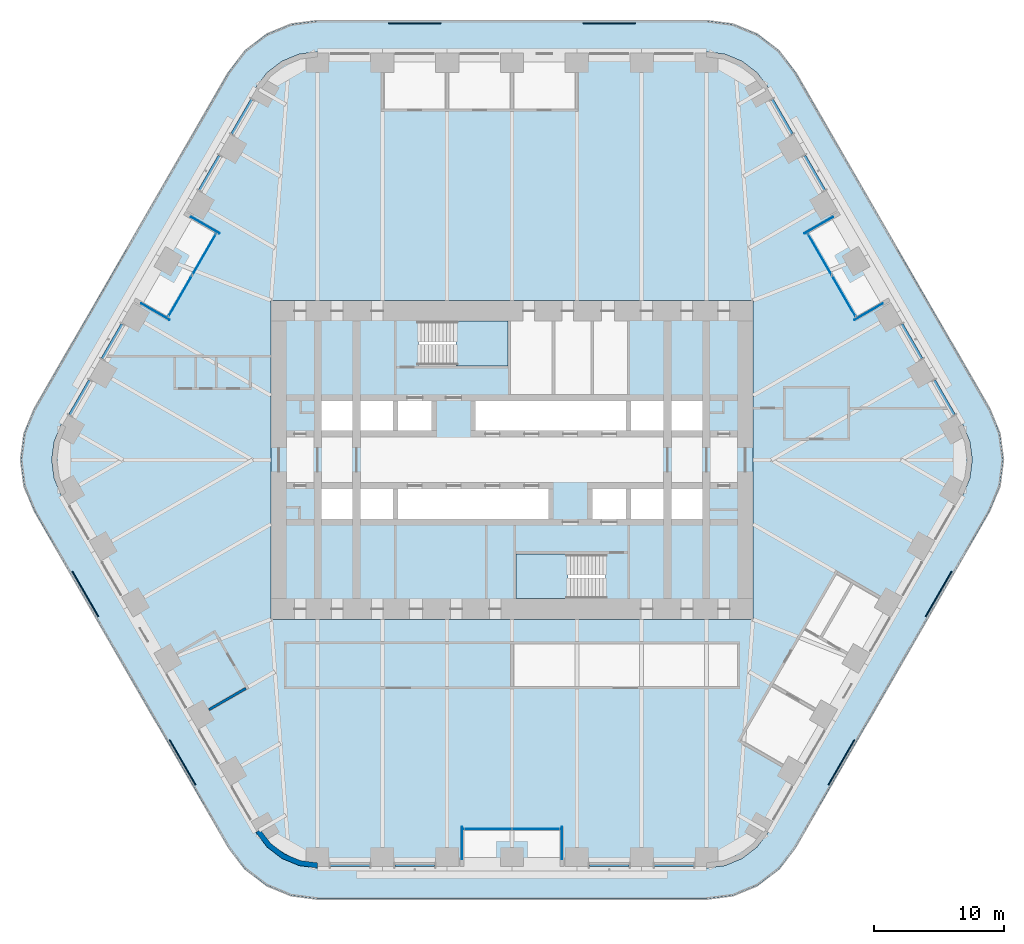
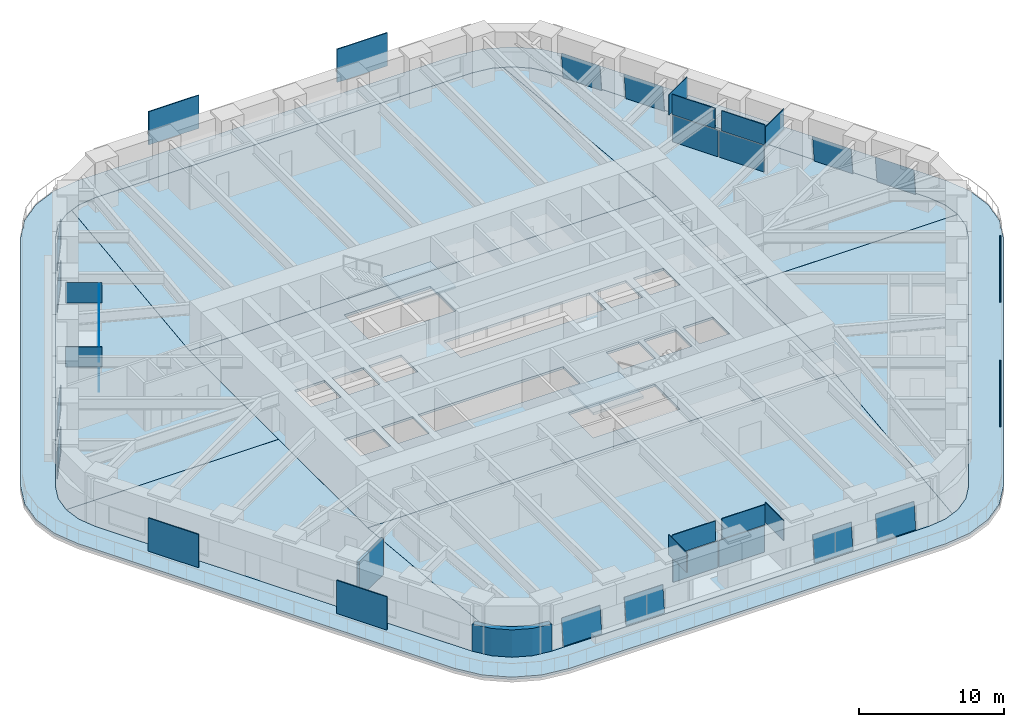
# One storey, part 16 of 24: 36 plates, 10 slabs, 2 walls, 17 elements without a shape of their own.
"""IFC4 building model written with IfcOpenShell, lengths in metres."""

from ifc_helpers import new_model, si_unit, direction, frame, frame_2d, origin, origin_2d, place, context, subcontext, project, spatial, polyline, rectangle, outline, extrude, material, layer, layer_set, type_object, element, aggregate, save


model = new_model("IFC4")

# Units and contexts
model_context = context("Model", 3, precision=1e-05, world=origin(), true_north=direction((0.0, 1.0)))
body_context = subcontext(model_context, "Body", "Model", "MODEL_VIEW")
ifc_project = project(units=[si_unit("LENGTHUNIT", "METRE"), si_unit("AREAUNIT", "SQUARE_METRE"), si_unit("VOLUMEUNIT", "CUBIC_METRE"), si_unit("PLANEANGLEUNIT", "RADIAN"), si_unit("MASSUNIT", "GRAM", prefix="KILO")], contexts=[model_context])

# Site, building, storey
site_placement = place(None, origin())
site = spatial("IfcSite", under=ifc_project, at=site_placement, CompositionType="ELEMENT")
building_placement = place(site_placement, origin())
building = spatial("IfcBuilding", under=site, at=building_placement, Name="Tarfa Lantern Tower", CompositionType="ELEMENT")
storey_placement = place(building_placement, frame((0.0, 0.0, 127.89990234375)))
storey = spatial("IfcBuildingStorey", under=building, at=storey_placement, Name="L28", CompositionType="ELEMENT", Elevation=127.89990234375)

# Slab
ifc_material_1 = material(Name="Concrete C40/50", Category="concrete")
ifc_layer_1 = layer(ifc_material_1, 0.199951171875)
ifc_layer_set_1 = layer_set([ifc_layer_1], Name="BS2 BALCONY SLAB 200")
slab_type_1 = type_object("IfcSlabType", Name="BS2 BALCONY SLAB 200", PredefinedType="FLOOR", material=ifc_layer_set_1)
slab_1_placement = place(storey_placement, frame((0.0, 0.0, -0.199951171875)))
element("IfcSlab", 1, at=slab_1_placement, inside=storey, type_object=slab_type_1, Name="Balcony L28", PredefinedType="FLOOR", context=body_context, shape_type="SweptSolid", body=[
    extrude(outline(polyline([(36.86376953125, 3.949951171875), (21.852783203125, 29.949951171875), (20.59716796875, 31.586181640625), (18.961181640625, 32.841552734375), (17.0556640625, 33.630859375), (15.010986328125, 33.89990234375), (-15.010986328125, 33.89990234375), (-17.0556640625, 33.630859375), (-18.961181640625, 32.841552734375), (-20.59716796875, 31.586181640625), (-21.852783203125, 29.949951171875), (-36.86376953125, 3.949951171875), (-37.653076171875, 2.044677734375), (-37.922119140625, 0.0), (-37.653076171875, -2.044677734375), (-36.86376953125, -3.949951171875), (-21.852783203125, -29.949951171875), (-20.59716796875, -31.586181640625), (-18.961181640625, -32.841552734375), (-17.0556640625, -33.630859375), (-15.010986328125, -33.89990234375), (15.010986328125, -33.89990234375), (17.0556640625, -33.630859375), (18.961181640625, -32.841552734375), (20.59716796875, -31.586181640625), (21.852783203125, -29.949951171875), (36.86376953125, -3.949951171875), (37.653076171875, -2.044677734375), (37.922119140625, 0.0), (37.653076171875, 2.044677734375), (36.86376953125, 3.949951171875)]), holes=[polyline([(34.785400390625, 2.75), (19.774169921875, 28.75), (18.900146484375, 29.88916015625), (17.760986328125, 30.76318359375), (16.4345703125, 31.3125), (15.010986328125, 31.5), (-15.010986328125, 31.5), (-16.4345703125, 31.3125), (-17.760986328125, 30.76318359375), (-18.900146484375, 29.88916015625), (-19.774169921875, 28.75), (-34.785400390625, 2.75), (-35.334716796875, 1.423583984375), (-35.522216796875, 0.0), (-35.334716796875, -1.423583984375), (-34.785400390625, -2.75), (-19.774169921875, -28.75), (-18.900146484375, -29.88916015625), (-17.760986328125, -30.76318359375), (-16.4345703125, -31.3125), (-15.010986328125, -31.5), (15.010986328125, -31.5), (16.4345703125, -31.3125), (17.760986328125, -30.76318359375), (18.900146484375, -29.88916015625), (19.774169921875, -28.75), (34.785400390625, -2.75), (35.334716796875, -1.423583984375), (35.522216796875, 0.0), (35.334716796875, 1.423583984375), (34.785400390625, 2.75)])]), origin(), (0.0, 0.0, 1.0), 0.199951171875),
])

# Curtain wall, plate
ifc_material_2 = material(Name="Aluminium framed curtain wall", Category="aluminium")
curtain_wall_type_1 = type_object("IfcCurtainWallType", Name="CW2 CANTED GLAZING MID ZONE 2300", PredefinedType="USERDEFINED", material=ifc_material_2)
curtain_wall_1_placement = place(storey_placement, origin())
curtain_wall_1 = element("IfcCurtainWall", 2, at=curtain_wall_1_placement, inside=storey, type_object=curtain_wall_type_1, Name="CW2 NE L28", ObjectType="CURTAIN WALL", PredefinedType="USERDEFINED")
ifc_material_3 = material(Name="Laminated double glazing", Category="glass")
ifc_layer_2 = layer(ifc_material_3, 0.028076171875)
ifc_layer_set_2 = layer_set([ifc_layer_2], Name="CWP1 DOUBLE GLAZED PANEL")
plate_type_1 = type_object("IfcPlateType", Name="CWP1 DOUBLE GLAZED PANEL", PredefinedType="CURTAIN_PANEL", material=ifc_layer_set_2)
plate_1_placement = place(storey_placement, frame((34.21630859375, 3.53564453125, 0.0), z_axis=(0.860950188313, 0.497081668846, 0.108049006198), x_axis=(-0.500008936691, 0.866020244122, 0.0)))
plate_1 = element("IfcPlate", 3, at=plate_1_placement, type_object=plate_type_1, Name="CW2 panel 1.1", PredefinedType="CURTAIN_PANEL", context=body_context, shape_type="SweptSolid", body=[
    extrude(outline(polyline([(0.0, 0.0), (3.0736755317705216, -2.7755575615628914e-17), (3.073820952204966, 2.2482697621832255), (0.00014542043444425168, 2.2482697621832255), (0.0, 0.0)])), origin(), (0.0, 0.0, -1.0), 0.028076171875),
])
aggregate(curtain_wall_1, [plate_1])

curtain_wall_2_placement = place(storey_placement, origin())
curtain_wall_2 = element("IfcCurtainWall", 4, at=curtain_wall_2_placement, inside=storey, type_object=curtain_wall_type_1, Name="CW2 NE L28", ObjectType="CURTAIN WALL", PredefinedType="USERDEFINED")
plate_2_placement = place(storey_placement, frame((31.71435546875, 7.869140625, 0.0), z_axis=(0.860945136195, 0.497078751935, 0.108102668035), x_axis=(-0.500008936691, 0.866020244122, 0.0)))
plate_2 = element("IfcPlate", 5, at=plate_2_placement, type_object=plate_type_1, Name="CW2 panel 1.1", PredefinedType="CURTAIN_PANEL", context=body_context, shape_type="SweptSolid", body=[
    extrude(outline(polyline([(0.0, 0.0), (3.0736755317705216, -2.7755575615628914e-17), (3.0736095214813033, 2.2482829552702466), (-6.601028921829344e-05, 2.2482829552702466), (0.0, 0.0)])), origin(), (0.0, 0.0, -1.0), 0.028076171875),
])
aggregate(curtain_wall_2, [plate_2])

curtain_wall_3_placement = place(storey_placement, origin())
curtain_wall_3 = element("IfcCurtainWall", 6, at=curtain_wall_3_placement, inside=storey, type_object=curtain_wall_type_1, Name="CW2 NEB L28", ObjectType="CURTAIN WALL", PredefinedType="USERDEFINED")
plate_3_placement = place(storey_placement, frame((24.208740234375, 20.869140625, 0.0), z_axis=(0.860953884959, 0.497083803157, 0.108009724623), x_axis=(-0.500008936691, 0.866020244122, 0.0)))
plate_3 = element("IfcPlate", 7, at=plate_3_placement, type_object=plate_type_1, Name="CW2 panel 1.1", PredefinedType="CURTAIN_PANEL", context=body_context, shape_type="SweptSolid", body=[
    extrude(outline(polyline([(0.0, 0.0), (3.0736755317705216, -2.7755575615628914e-17), (3.073487448986994, 2.248260108870411), (-0.000188082783527721, 2.248260108870411), (0.0, 0.0)])), origin(), (0.0, 0.0, -1.0), 0.028076171875),
])
aggregate(curtain_wall_3, [plate_3])

curtain_wall_4_placement = place(storey_placement, origin())
curtain_wall_4 = element("IfcCurtainWall", 8, at=curtain_wall_4_placement, inside=storey, type_object=curtain_wall_type_1, Name="CW2 NEB L28", ObjectType="CURTAIN WALL", PredefinedType="USERDEFINED")
plate_4_placement = place(storey_placement, frame((21.70703125, 25.202392578125, 0.0), z_axis=(0.86095753291, 0.497063114566, 0.10807583756), x_axis=(-0.499991940844, 0.866030056687, 2.133498e-06)))
plate_4 = element("IfcPlate", 9, at=plate_4_placement, type_object=plate_type_1, Name="CW2 panel 1.1", PredefinedType="CURTAIN_PANEL", context=body_context, shape_type="SweptSolid", body=[
    extrude(outline(polyline([(0.0, 0.0), (3.07367553117162, -2.7755575615628914e-17), (3.0738209528038953, 2.2482697613643725), (-6.60114870335402e-05, 2.2482829544514407), (0.0, 0.0)])), origin(), (0.0, 0.0, -1.0), 0.028076171875),
])
aggregate(curtain_wall_4, [plate_4])

# Curtain wall, plates
curtain_wall_type_2 = type_object("IfcCurtainWallType", Name="CW10 LOGGIA GLAZING 2300", PredefinedType="USERDEFINED", material=ifc_material_2)
curtain_wall_5_placement = place(storey_placement, origin())
curtain_wall_5 = element("IfcCurtainWall", 10, at=curtain_wall_5_placement, inside=storey, type_object=curtain_wall_type_2, Name="CW10 NEL L28", ObjectType="CURTAIN WALL", PredefinedType="USERDEFINED")
plate_5_placement = place(storey_placement, frame((25.599609375, 12.660400390625, 0.0), z_axis=(0.0, 0.0, 1.0), x_axis=(-0.5, 0.866025403784, 0.0)))
plate_5 = element("IfcPlate", 11, at=plate_5_placement, type_object=plate_type_1, Name="CW10 panel 1.1", PredefinedType="CURTAIN_PANEL", context=body_context, shape_type="SweptSolid", body=[
    extrude(rectangle(XDim=3.606201171875, YDim=0.028076171875, at=origin_2d()), origin(), (0.0, 0.0, 1.0), 2.235107421875),
])
plate_6_placement = place(storey_placement, frame((23.763916015625, 15.839599609375, 0.0), z_axis=(0.0, 0.0, 1.0), x_axis=(-0.5, 0.866025403784, 0.0)))
plate_6 = element("IfcPlate", 12, at=plate_6_placement, type_object=plate_type_1, Name="CW10 panel 2.1", PredefinedType="CURTAIN_PANEL", context=body_context, shape_type="SweptSolid", body=[
    extrude(rectangle(XDim=3.606201171875, YDim=0.028076171875, at=origin_2d()), origin(), (0.0, 0.0, 1.0), 2.235107421875),
])
aggregate(curtain_wall_5, [plate_5, plate_6])

# Curtain wall, plate
curtain_wall_6_placement = place(storey_placement, origin())
curtain_wall_6 = element("IfcCurtainWall", 13, at=curtain_wall_6_placement, inside=storey, type_object=curtain_wall_type_1, Name="CW2 NW L28", ObjectType="CURTAIN WALL", PredefinedType="USERDEFINED")
plate_7_placement = place(storey_placement, frame((-20.170166015625, 27.8642578125, 0.0), z_axis=(-0.86095753291, 0.497063114566, 0.10807583756), x_axis=(-0.499991940844, -0.866030056687, -2.133498e-06)))
plate_7 = element("IfcPlate", 14, at=plate_7_placement, type_object=plate_type_1, Name="CW2 panel 1.1", PredefinedType="CURTAIN_PANEL", context=body_context, shape_type="SweptSolid", body=[
    extrude(outline(polyline([(0.0, 0.0), (3.07367553117162, 2.7755575615628914e-17), (3.0737415426586536, 2.2482829544514407), (-0.00014542163227493655, 2.2482697613643725), (0.0, 0.0)])), origin(), (0.0, 0.0, -1.0), 0.028076171875),
])
aggregate(curtain_wall_6, [plate_7])

curtain_wall_7_placement = place(storey_placement, origin())
curtain_wall_7 = element("IfcCurtainWall", 15, at=curtain_wall_7_placement, inside=storey, type_object=curtain_wall_type_1, Name="CW2 NW L28", ObjectType="CURTAIN WALL", PredefinedType="USERDEFINED")
plate_8_placement = place(storey_placement, frame((-22.671875, 23.531005859375, 0.0), z_axis=(-0.860953884959, 0.497083803157, 0.108009724623), x_axis=(-0.500008936691, -0.866020244122, 0.0)))
plate_8 = element("IfcPlate", 16, at=plate_8_placement, type_object=plate_type_1, Name="CW2 panel 1.1", PredefinedType="CURTAIN_PANEL", context=body_context, shape_type="SweptSolid", body=[
    extrude(outline(polyline([(0.0, 0.0), (3.0736755317705216, 2.7755575615628914e-17), (3.073863614554049, 2.248260108870411), (0.000188082783527721, 2.248260108870411), (0.0, 0.0)])), origin(), (0.0, 0.0, -1.0), 0.028076171875),
])
aggregate(curtain_wall_7, [plate_8])

curtain_wall_8_placement = place(storey_placement, origin())
curtain_wall_8 = element("IfcCurtainWall", 17, at=curtain_wall_8_placement, inside=storey, type_object=curtain_wall_type_1, Name="CW2 NWB L28", ObjectType="CURTAIN WALL", PredefinedType="USERDEFINED")
plate_9_placement = place(storey_placement, frame((-30.177490234375, 10.531005859375, 0.0), z_axis=(-0.860945136195, 0.497078751935, 0.108102668035), x_axis=(-0.500008936691, -0.866020244122, 0.0)))
plate_9 = element("IfcPlate", 18, at=plate_9_placement, type_object=plate_type_1, Name="CW2 panel 1.1", PredefinedType="CURTAIN_PANEL", context=body_context, shape_type="SweptSolid", body=[
    extrude(outline(polyline([(0.0, 0.0), (3.0736755317705216, 2.7755575615628914e-17), (3.07374154205974, 2.2482829552702466), (6.601028921829344e-05, 2.2482829552702466), (0.0, 0.0)])), origin(), (0.0, 0.0, -1.0), 0.028076171875),
])
aggregate(curtain_wall_8, [plate_9])

curtain_wall_9_placement = place(storey_placement, origin())
curtain_wall_9 = element("IfcCurtainWall", 19, at=curtain_wall_9_placement, inside=storey, type_object=curtain_wall_type_1, Name="CW2 NWB L28", ObjectType="CURTAIN WALL", PredefinedType="USERDEFINED")
plate_10_placement = place(storey_placement, frame((-32.679443359375, 6.197509765625, 0.0), z_axis=(-0.860950188313, 0.497081668846, 0.108049006198), x_axis=(-0.500008936691, -0.866020244122, 0.0)))
plate_10 = element("IfcPlate", 20, at=plate_10_placement, type_object=plate_type_1, Name="CW2 panel 1.1", PredefinedType="CURTAIN_PANEL", context=body_context, shape_type="SweptSolid", body=[
    extrude(outline(polyline([(0.0, 0.0), (3.0736755317705216, 2.7755575615628914e-17), (3.0735301113360776, 2.2482697621832255), (-0.00014542043444425168, 2.2482697621832255), (0.0, 0.0)])), origin(), (0.0, 0.0, -1.0), 0.028076171875),
])
aggregate(curtain_wall_9, [plate_10])

# Curtain wall, plates
curtain_wall_10_placement = place(storey_placement, origin())
curtain_wall_10 = element("IfcCurtainWall", 21, at=curtain_wall_10_placement, inside=storey, type_object=curtain_wall_type_2, Name="CW10 NWL L28", ObjectType="CURTAIN WALL", PredefinedType="USERDEFINED")
plate_11_placement = place(storey_placement, frame((-23.763916015625, 15.839599609375, 0.0), z_axis=(0.0, 0.0, 1.0), x_axis=(-0.5, -0.866025403784, 0.0)))
plate_11 = element("IfcPlate", 22, at=plate_11_placement, type_object=plate_type_1, Name="CW10 panel 1.1", PredefinedType="CURTAIN_PANEL", context=body_context, shape_type="SweptSolid", body=[
    extrude(rectangle(XDim=3.606201171875, YDim=0.028076171875, at=origin_2d()), origin(), (0.0, 0.0, 1.0), 2.235107421875),
])
plate_12_placement = place(storey_placement, frame((-25.599609375, 12.660400390625, 0.0), z_axis=(0.0, 0.0, 1.0), x_axis=(-0.5, -0.866025403784, 0.0)))
plate_12 = element("IfcPlate", 23, at=plate_12_placement, type_object=plate_type_1, Name="CW10 panel 2.1", PredefinedType="CURTAIN_PANEL", context=body_context, shape_type="SweptSolid", body=[
    extrude(rectangle(XDim=3.606201171875, YDim=0.028076171875, at=origin_2d()), origin(), (0.0, 0.0, 1.0), 2.235107421875),
])
aggregate(curtain_wall_10, [plate_11, plate_12])

# Curtain wall, plate
curtain_wall_11_placement = place(storey_placement, origin())
curtain_wall_11 = element("IfcCurtainWall", 24, at=curtain_wall_11_placement, inside=storey, type_object=curtain_wall_type_1, Name="CW2 S L28", ObjectType="CURTAIN WALL", PredefinedType="USERDEFINED")
plate_13_placement = place(storey_placement, frame((-14.046142578125, -31.39990234375, 0.0), z_axis=(0.0, -0.994145730989, 0.108047515274), x_axis=(1.0, 0.0, 0.0)))
plate_13 = element("IfcPlate", 25, at=plate_13_placement, type_object=plate_type_1, Name="CW2 panel 1.1", PredefinedType="CURTAIN_PANEL", context=body_context, shape_type="SweptSolid", body=[
    extrude(outline(polyline([(0.0, 0.0), (3.07373046875, 0.0), (3.07373046875, 2.2482693957274034), (0.0, 2.2482693957274034), (0.0, 0.0)])), origin(), (0.0, 0.0, -1.0), 0.028076171875),
])
aggregate(curtain_wall_11, [plate_13])

curtain_wall_12_placement = place(storey_placement, origin())
curtain_wall_12 = element("IfcCurtainWall", 26, at=curtain_wall_12_placement, inside=storey, type_object=curtain_wall_type_1, Name="CW2 S L28", ObjectType="CURTAIN WALL", PredefinedType="USERDEFINED")
plate_14_placement = place(storey_placement, frame((-9.04248046875, -31.39990234375, 0.0), z_axis=(0.0, -0.994145730989, 0.108047515274), x_axis=(1.0, 0.0, 0.0)))
plate_14 = element("IfcPlate", 27, at=plate_14_placement, type_object=plate_type_1, Name="CW2 panel 1.1", PredefinedType="CURTAIN_PANEL", context=body_context, shape_type="SweptSolid", body=[
    extrude(outline(polyline([(0.0, 0.0), (3.07373046875, 0.0), (3.07373046875, 2.2482693957274034), (0.0, 2.2482693957274034), (0.0, 0.0)])), origin(), (0.0, 0.0, -1.0), 0.028076171875),
])
aggregate(curtain_wall_12, [plate_14])

curtain_wall_13_placement = place(storey_placement, origin())
curtain_wall_13 = element("IfcCurtainWall", 28, at=curtain_wall_13_placement, inside=storey, type_object=curtain_wall_type_1, Name="CW2 SB L28", ObjectType="CURTAIN WALL", PredefinedType="USERDEFINED")
plate_15_placement = place(storey_placement, frame((5.96875, -31.39990234375, 0.0), z_axis=(0.0, -0.994145730989, 0.108047515274), x_axis=(1.0, 0.0, 0.0)))
plate_15 = element("IfcPlate", 29, at=plate_15_placement, type_object=plate_type_1, Name="CW2 panel 1.1", PredefinedType="CURTAIN_PANEL", context=body_context, shape_type="SweptSolid", body=[
    extrude(outline(polyline([(0.0, 0.0), (3.07373046875, 0.0), (3.07373046875, 2.2482693957274034), (0.0, 2.2482693957274034), (0.0, 0.0)])), origin(), (0.0, 0.0, -1.0), 0.028076171875),
])
aggregate(curtain_wall_13, [plate_15])

curtain_wall_14_placement = place(storey_placement, origin())
curtain_wall_14 = element("IfcCurtainWall", 30, at=curtain_wall_14_placement, inside=storey, type_object=curtain_wall_type_1, Name="CW2 SB L28", ObjectType="CURTAIN WALL", PredefinedType="USERDEFINED")
plate_16_placement = place(storey_placement, frame((10.972412109375, -31.39990234375, 0.0), z_axis=(0.0, -0.994145730989, 0.108047515274), x_axis=(1.0, 0.0, 0.0)))
plate_16 = element("IfcPlate", 31, at=plate_16_placement, type_object=plate_type_1, Name="CW2 panel 1.1", PredefinedType="CURTAIN_PANEL", context=body_context, shape_type="SweptSolid", body=[
    extrude(outline(polyline([(0.0, 0.0), (3.07373046875, 0.0), (3.07373046875, 2.2482693957274034), (0.0, 2.2482693957274034), (0.0, 0.0)])), origin(), (0.0, 0.0, -1.0), 0.028076171875),
])
aggregate(curtain_wall_14, [plate_16])

# Curtain wall, plates
curtain_wall_15_placement = place(storey_placement, origin())
curtain_wall_15 = element("IfcCurtainWall", 32, at=curtain_wall_15_placement, inside=storey, type_object=curtain_wall_type_2, Name="CW10 SL L28", ObjectType="CURTAIN WALL", PredefinedType="USERDEFINED")
plate_17_placement = place(storey_placement, frame((-1.835693359375, -28.5, 0.0), z_axis=(0.0, 0.0, 1.0), x_axis=(1.0, 0.0, 0.0)))
plate_17 = element("IfcPlate", 33, at=plate_17_placement, type_object=plate_type_1, Name="CW10 panel 1.1", PredefinedType="CURTAIN_PANEL", context=body_context, shape_type="SweptSolid", body=[
    extrude(rectangle(XDim=3.606201171875, YDim=0.028076171875, at=origin_2d()), origin(), (0.0, 0.0, 1.0), 2.235107421875),
])
plate_18_placement = place(storey_placement, frame((1.835693359375, -28.5, 0.0), z_axis=(0.0, 0.0, 1.0), x_axis=(1.0, 0.0, 0.0)))
plate_18 = element("IfcPlate", 34, at=plate_18_placement, type_object=plate_type_1, Name="CW10 panel 2.1", PredefinedType="CURTAIN_PANEL", context=body_context, shape_type="SweptSolid", body=[
    extrude(rectangle(XDim=3.606201171875, YDim=0.028076171875, at=origin_2d()), origin(), (0.0, 0.0, 1.0), 2.235107421875),
])
aggregate(curtain_wall_15, [plate_17, plate_18])

# Slabs
ifc_layer_3 = layer(ifc_material_1, 0.199951171875)
ifc_layer_set_3 = layer_set([ifc_layer_3], Name="FS1 FLOOR SLAB 200")
slab_type_2 = type_object("IfcSlabType", Name="FS1 FLOOR SLAB 200", PredefinedType="FLOOR", material=ifc_layer_set_3)
slab_2_placement = place(storey_placement, frame((0.0, 0.0, -0.199951171875)))
element("IfcSlab", 35, at=slab_2_placement, inside=storey, type_object=slab_type_2, Name="Floor slab L28", PredefinedType="FLOOR", context=body_context, shape_type="SweptSolid", body=[
    extrude(outline(polyline([(-18.60009765625, -12.300048828125), (18.60009765625, -12.300048828125), (18.60009765625, 12.300048828125), (-18.60009765625, 12.300048828125), (-18.60009765625, -12.300048828125)]), holes=[polyline([(-14.699951171875, 2.25), (-12.300048828125, 2.25), (-12.300048828125, 4.550048828125), (-14.699951171875, 4.550048828125), (-14.699951171875, 2.25)]), polyline([(-11.699951171875, 2.25), (-9.199951171875, 2.25), (-9.199951171875, 4.550048828125), (-11.699951171875, 4.550048828125), (-11.699951171875, 2.25)]), polyline([(-8.800048828125, 2.25), (-6.199951171875, 2.25), (-6.199951171875, 4.550048828125), (-8.800048828125, 4.550048828125), (-8.800048828125, 2.25)]), polyline([(-2.800048828125, 2.25), (8.800048828125, 2.25), (8.800048828125, 4.550048828125), (-2.800048828125, 4.550048828125), (-2.800048828125, 2.25)]), polyline([(9.199951171875, 2.25), (11.699951171875, 2.25), (11.699951171875, 4.550048828125), (9.199951171875, 4.550048828125), (9.199951171875, 2.25)]), polyline([(12.300048828125, 2.25), (14.699951171875, 2.25), (14.699951171875, 4.550048828125), (12.300048828125, 4.550048828125), (12.300048828125, 2.25)]), polyline([(14.699951171875, -2.25), (12.300048828125, -2.25), (12.300048828125, -4.550048828125), (14.699951171875, -4.550048828125), (14.699951171875, -2.25)]), polyline([(11.699951171875, -2.25), (9.199951171875, -2.25), (9.199951171875, -4.550048828125), (11.699951171875, -4.550048828125), (11.699951171875, -2.25)]), polyline([(8.800048828125, -2.25), (6.199951171875, -2.25), (6.199951171875, -4.550048828125), (8.800048828125, -4.550048828125), (8.800048828125, -2.25)]), polyline([(2.800048828125, -2.25), (-8.800048828125, -2.25), (-8.800048828125, -4.550048828125), (2.800048828125, -4.550048828125), (2.800048828125, -2.25)]), polyline([(-9.199951171875, -2.25), (-11.699951171875, -2.25), (-11.699951171875, -4.550048828125), (-9.199951171875, -4.550048828125), (-9.199951171875, -2.25)]), polyline([(-12.300048828125, -2.25), (-14.699951171875, -2.25), (-14.699951171875, -4.550048828125), (-12.300048828125, -4.550048828125), (-12.300048828125, -2.25)]), polyline([(-7.199951171875, 7.25), (-0.300048828125, 7.25), (-0.300048828125, 10.699951171875), (-7.199951171875, 10.699951171875), (-7.199951171875, 7.25)]), polyline([(7.199951171875, -7.25), (0.300048828125, -7.25), (0.300048828125, -10.699951171875), (7.199951171875, -10.699951171875), (7.199951171875, -7.25)])]), origin(), (0.0, 0.0, 1.0), 0.199951171875),
])
slab_3_placement = place(storey_placement, frame((0.0, 0.0, -0.199951171875)))
element("IfcSlab", 36, at=slab_3_placement, inside=storey, type_object=slab_type_2, Name="Floor slab L28 NE bay", PredefinedType="FLOOR", context=body_context, shape_type="SweptSolid", body=[
    extrude(outline(polyline([(34.783447265625, 2.7490234375), (19.7724609375, 28.748779296875), (18.898681640625, 29.8876953125), (17.760009765625, 30.761474609375), (17.19189453125, 30.996826171875), (18.60205078125, 12.300048828125), (18.60205078125, 0.001953125), (35.52001953125, 0.001953125), (35.332763671875, 1.423095703125), (34.783447265625, 2.7490234375)])), origin(), (0.0, 0.0, 1.0), 0.199951171875),
])
slab_4_placement = place(storey_placement, frame((0.0, 0.0, -0.199951171875)))
element("IfcSlab", 37, at=slab_4_placement, inside=storey, type_object=slab_type_2, Name="Floor slab L28 N bay", PredefinedType="FLOOR", context=body_context, shape_type="SweptSolid", body=[
    extrude(outline(polyline([(-18.597900390625, 12.302001953125), (18.597900390625, 12.302001953125), (17.187744140625, 30.99853515625), (16.43408203125, 31.310546875), (15.010986328125, 31.498046875), (-15.010986328125, 31.498046875), (-16.43408203125, 31.310546875), (-17.187744140625, 30.99853515625), (-18.597900390625, 12.302001953125)])), origin(), (0.0, 0.0, 1.0), 0.199951171875),
])
slab_5_placement = place(storey_placement, frame((0.0, 0.0, -0.199951171875)))
element("IfcSlab", 38, at=slab_5_placement, inside=storey, type_object=slab_type_2, Name="Floor slab L28 NW bay", PredefinedType="FLOOR", context=body_context, shape_type="SweptSolid", body=[
    extrude(outline(polyline([(-18.60205078125, 0.001953125), (-18.60205078125, 12.300048828125), (-17.19189453125, 30.996826171875), (-17.760009765625, 30.761474609375), (-18.898681640625, 29.8876953125), (-19.7724609375, 28.748779296875), (-34.783447265625, 2.7490234375), (-35.332763671875, 1.423095703125), (-35.52001953125, 0.001953125), (-18.60205078125, 0.001953125)])), origin(), (0.0, 0.0, 1.0), 0.199951171875),
])
slab_6_placement = place(storey_placement, frame((0.0, 0.0, -0.199951171875)))
element("IfcSlab", 39, at=slab_6_placement, inside=storey, type_object=slab_type_2, Name="Floor slab L28 SW bay", PredefinedType="FLOOR", context=body_context, shape_type="SweptSolid", body=[
    extrude(outline(polyline([(-18.60205078125, -12.300048828125), (-18.60205078125, -0.001953125), (-35.52001953125, -0.001953125), (-35.332763671875, -1.423095703125), (-34.783447265625, -2.7490234375), (-19.7724609375, -28.748779296875), (-18.898681640625, -29.8876953125), (-17.760009765625, -30.761474609375), (-17.19189453125, -30.996826171875), (-18.60205078125, -12.300048828125)])), origin(), (0.0, 0.0, 1.0), 0.199951171875),
])
slab_7_placement = place(storey_placement, frame((0.0, 0.0, -0.199951171875)))
element("IfcSlab", 40, at=slab_7_placement, inside=storey, type_object=slab_type_2, Name="Floor slab L28 S bay", PredefinedType="FLOOR", context=body_context, shape_type="SweptSolid", body=[
    extrude(outline(polyline([(18.597900390625, -12.302001953125), (-18.597900390625, -12.302001953125), (-17.187744140625, -30.99853515625), (-16.43408203125, -31.310546875), (-15.010986328125, -31.498046875), (15.010986328125, -31.498046875), (16.43408203125, -31.310546875), (17.187744140625, -30.99853515625), (18.597900390625, -12.302001953125)])), origin(), (0.0, 0.0, 1.0), 0.199951171875),
])
slab_8_placement = place(storey_placement, frame((0.0, 0.0, -0.199951171875)))
element("IfcSlab", 41, at=slab_8_placement, inside=storey, type_object=slab_type_2, Name="Floor slab L28 SE bay", PredefinedType="FLOOR", context=body_context, shape_type="SweptSolid", body=[
    extrude(outline(polyline([(18.60205078125, -0.001953125), (18.60205078125, -12.300048828125), (17.19189453125, -30.996826171875), (17.760009765625, -30.761474609375), (18.898681640625, -29.8876953125), (19.7724609375, -28.748779296875), (34.783447265625, -2.7490234375), (35.332763671875, -1.423095703125), (35.52001953125, -0.001953125), (18.60205078125, -0.001953125)])), origin(), (0.0, 0.0, 1.0), 0.199951171875),
])

# Plates
ifc_material_4 = material(Name="Aluminium fascia panel", Category="aluminium")
ifc_layer_4 = layer(ifc_material_4, 0.050048828125)
ifc_layer_set_4 = layer_set([ifc_layer_4], Name="LF1 LOGGIA HEAD FASCIA 50")
plate_type_2 = type_object("IfcPlateType", Name="LF1 LOGGIA HEAD FASCIA 50", PredefinedType="USERDEFINED", material=ifc_layer_set_4)
for number, where, z_axis, x_axis, name in (
    (42, (25.670166015625, 12.5380859375, 2.30029296875), (0.0, 0.0, 1.0), (-0.5, 0.866025403784, 0.0), "Loggia head fascia NE"),
    (43, (23.693359375, 15.9619140625, 2.30029296875), (0.0, 0.0, 1.0), (-0.5, 0.866025403784, 0.0), "Loggia head fascia NE"),
):
    element("IfcPlate", number, at=place(storey_placement, frame(where, z_axis=z_axis, x_axis=x_axis)), inside=storey, type_object=plate_type_2, Name=name, ObjectType="FASCIA", PredefinedType="USERDEFINED", context=body_context, shape_type="SweptSolid", body=[
        extrude(rectangle(XDim=3.45361328125, YDim=0.050048828125, at=origin_2d()), origin(), (0.0, 0.0, 1.0), 1.699951171875),
    ])
for number, where, z_axis, x_axis, name in (
    (44, (27.526611328125, 11.442626953125, 2.30029296875), (0.0, 0.0, 1.0), (-0.866025403784, -0.5, 0.0), "Loggia head fascia NE"),
    (45, (23.6728515625, 18.117431640625, 2.30029296875), (0.0, 0.0, 1.0), (-0.866025403784, -0.5, 0.0), "Loggia head fascia NE"),
):
    element("IfcPlate", number, at=place(storey_placement, frame(where, z_axis=z_axis, x_axis=x_axis)), inside=storey, type_object=plate_type_2, Name=name, ObjectType="FASCIA", PredefinedType="USERDEFINED", context=body_context, shape_type="SweptSolid", body=[
        extrude(rectangle(XDim=2.52001953125, YDim=0.050048828125, at=origin_2d()), origin(), (0.0, 0.0, 1.0), 1.699951171875),
    ])
for number, where, z_axis, x_axis, name in (
    (46, (-23.693359375, 15.9619140625, 2.30029296875), (0.0, 0.0, 1.0), (-0.5, -0.866025403784, 0.0), "Loggia head fascia NW"),
    (47, (-25.670166015625, 12.5380859375, 2.30029296875), (0.0, 0.0, 1.0), (-0.5, -0.866025403784, 0.0), "Loggia head fascia NW"),
):
    element("IfcPlate", number, at=place(storey_placement, frame(where, z_axis=z_axis, x_axis=x_axis)), inside=storey, type_object=plate_type_2, Name=name, ObjectType="FASCIA", PredefinedType="USERDEFINED", context=body_context, shape_type="SweptSolid", body=[
        extrude(rectangle(XDim=3.45361328125, YDim=0.050048828125, at=origin_2d()), origin(), (0.0, 0.0, 1.0), 1.699951171875),
    ])
for number, where, z_axis, x_axis, name in (
    (48, (-23.6728515625, 18.117431640625, 2.30029296875), (0.0, 0.0, 1.0), (0.866025403784, -0.5, 0.0), "Loggia head fascia NW"),
    (49, (-27.526611328125, 11.442626953125, 2.30029296875), (0.0, 0.0, 1.0), (0.866025403784, -0.5, 0.0), "Loggia head fascia NW"),
):
    element("IfcPlate", number, at=place(storey_placement, frame(where, z_axis=z_axis, x_axis=x_axis)), inside=storey, type_object=plate_type_2, Name=name, ObjectType="FASCIA", PredefinedType="USERDEFINED", context=body_context, shape_type="SweptSolid", body=[
        extrude(rectangle(XDim=2.52001953125, YDim=0.050048828125, at=origin_2d()), origin(), (0.0, 0.0, 1.0), 1.699951171875),
    ])
for number, where, z_axis, x_axis, name in (
    (50, (-1.976806640625, -28.5, 2.30029296875), (0.0, 0.0, 1.0), (1.0, 0.0, 0.0), "Loggia head fascia S"),
    (51, (1.976806640625, -28.5, 2.30029296875), (0.0, 0.0, 1.0), (1.0, 0.0, 0.0), "Loggia head fascia S"),
):
    element("IfcPlate", number, at=place(storey_placement, frame(where, z_axis=z_axis, x_axis=x_axis)), inside=storey, type_object=plate_type_2, Name=name, ObjectType="FASCIA", PredefinedType="USERDEFINED", context=body_context, shape_type="SweptSolid", body=[
        extrude(rectangle(XDim=3.45361328125, YDim=0.050048828125, at=origin_2d()), origin(), (0.0, 0.0, 1.0), 1.699951171875),
    ])
for number, where, z_axis, x_axis, name in (
    (52, (-3.853759765625, -29.56005859375, 2.30029296875), (0.0, 0.0, 1.0), (0.0, 1.0, 0.0), "Loggia head fascia S"),
    (53, (3.853759765625, -29.56005859375, 2.30029296875), (0.0, 0.0, 1.0), (0.0, 1.0, 0.0), "Loggia head fascia S"),
):
    element("IfcPlate", number, at=place(storey_placement, frame(where, z_axis=z_axis, x_axis=x_axis)), inside=storey, type_object=plate_type_2, Name=name, ObjectType="FASCIA", PredefinedType="USERDEFINED", context=body_context, shape_type="SweptSolid", body=[
        extrude(rectangle(XDim=2.52001953125, YDim=0.050048828125, at=origin_2d()), origin(), (0.0, 0.0, 1.0), 1.699951171875),
    ])
ifc_material_5 = material(Name="Perforated limestone screen", Category="masonry")
ifc_layer_5 = layer(ifc_material_5, 0.080078125)
ifc_layer_set_5 = layer_set([ifc_layer_5], Name="SC1 STONE SCREEN 80")
plate_type_3 = type_object("IfcPlateType", Name="SC1 STONE SCREEN 80", PredefinedType="USERDEFINED", material=ifc_layer_set_5)
for number, where, z_axis, x_axis, name in (
    (54, (7.505615234375, 33.699951171875, 1.2001953125), (0.0, 0.0, 1.0), (-1.0, 0.0, 0.0), "Stone screen N 1"),
    (55, (-7.505615234375, 33.699951171875, 1.2001953125), (0.0, 0.0, 1.0), (-1.0, 0.0, 0.0), "Stone screen N 2"),
    (56, (-32.937744140625, -10.35009765625, 1.2001953125), (0.0, 0.0, 1.0), (0.5, -0.866025403784, 0.0), "Stone screen SW 1"),
    (57, (-25.432373046875, -23.35009765625, 1.2001953125), (0.0, 0.0, 1.0), (0.5, -0.866025403784, 0.0), "Stone screen SW 2"),
    (58, (25.432373046875, -23.35009765625, 1.2001953125), (0.0, 0.0, 1.0), (0.5, 0.866025403784, 0.0), "Stone screen SE 1"),
    (59, (32.937744140625, -10.35009765625, 1.2001953125), (0.0, 0.0, 1.0), (0.5, 0.866025403784, 0.0), "Stone screen SE 2"),
):
    element("IfcPlate", number, at=place(storey_placement, frame(where, z_axis=z_axis, x_axis=x_axis)), inside=storey, type_object=plate_type_3, Name=name, ObjectType="SCREEN", PredefinedType="USERDEFINED", context=body_context, shape_type="SweptSolid", body=[
        extrude(rectangle(XDim=4.0, YDim=0.080078125, at=origin_2d()), origin(), (0.0, 0.0, 1.0), 2.800048828125),
    ])

# Stair, slab
stair_type = type_object("IfcStairType", Name="ST-T10 HALF-TURN STAIR 4200 RISE", PredefinedType="HALF_TURN_STAIR", material=ifc_material_1)
stair_1_placement = place(storey_placement, origin())
stair_1 = element("IfcStair", 60, at=stair_1_placement, inside=storey, type_object=stair_type, Name="Stair ST1", PredefinedType="HALF_TURN_STAIR")
ifc_layer_6 = layer(ifc_material_1, 0.199951171875)
ifc_layer_set_6 = layer_set([ifc_layer_6], Name="SL1 STAIR LANDING 200")
slab_type_3 = type_object("IfcSlabType", Name="SL1 STAIR LANDING 200", PredefinedType="LANDING", material=ifc_layer_set_6)
slab_9_placement = place(storey_placement, frame((0.0, 0.0, 1.900146484375)))
slab_9 = element("IfcSlab", 61, at=slab_9_placement, type_object=slab_type_3, Name="ST1 landing 1", PredefinedType="LANDING", context=body_context, shape_type="SweptSolid", body=[
    extrude(outline(polyline([(-4.320068359375, 7.25), (-0.300048828125, 7.25), (-0.300048828125, 10.699951171875), (-4.320068359375, 10.699951171875), (-4.320068359375, 7.25)])), origin(), (0.0, 0.0, 1.0), 0.199951171875),
])
aggregate(stair_1, [slab_9])

stair_2_placement = place(storey_placement, origin())
stair_2 = element("IfcStair", 62, at=stair_2_placement, inside=storey, type_object=stair_type, Name="Stair ST2", PredefinedType="HALF_TURN_STAIR")
slab_10_placement = place(storey_placement, frame((0.0, 0.0, 1.900146484375)))
slab_10 = element("IfcSlab", 63, at=slab_10_placement, type_object=slab_type_3, Name="ST2 landing 1", PredefinedType="LANDING", context=body_context, shape_type="SweptSolid", body=[
    extrude(outline(polyline([(4.320068359375, -7.25), (0.300048828125, -7.25), (0.300048828125, -10.699951171875), (4.320068359375, -10.699951171875), (4.320068359375, -7.25)])), origin(), (0.0, 0.0, 1.0), 0.199951171875),
])
aggregate(stair_2, [slab_10])

# Walls
ifc_material_6 = material(Name="Limestone cladding on blockwork", Category="masonry")
ifc_layer_7 = layer(ifc_material_6, 0.39990234375)
ifc_layer_set_7 = layer_set([ifc_layer_7], Name="EW2 CURVED STONE CORNER 400")
wall_type_1 = type_object("IfcWallType", Name="EW2 CURVED STONE CORNER 400", PredefinedType="SOLIDWALL", material=ifc_layer_set_7)
wall_1_placement = place(storey_placement, origin())
element("IfcWall", 64, at=wall_1_placement, inside=storey, type_object=wall_type_1, Name="Stone corner SW-S", PredefinedType="SOLIDWALL", context=body_context, shape_type="SweptSolid", body=[
    extrude(outline(polyline([(-19.774169921875, -28.75), (-18.900146484375, -29.88916015625), (-17.760986328125, -30.76318359375), (-16.4345703125, -31.3125), (-15.010986328125, -31.5), (-15.010986328125, -31.10009765625), (-16.3310546875, -30.92626953125), (-17.56103515625, -30.416748046875), (-18.617431640625, -29.606201171875), (-19.427734375, -28.550048828125), (-19.774169921875, -28.75)])), origin(), (0.0, 0.0, 1.0), 2.300048828125),
])
ifc_material_7 = material(Name="Gypsum board on steel studs", Category="steel")
ifc_layer_8 = layer(ifc_material_7, 0.2099609375)
ifc_layer_set_8 = layer_set([ifc_layer_8], Name="IW2 ACOUSTIC PARTITION 200")
wall_type_2 = type_object("IfcWallType", Name="IW2 ACOUSTIC PARTITION 200", PredefinedType="PARTITIONING", material=ifc_layer_set_8)
wall_2_placement = place(storey_placement, frame((-20.534423828125, -17.63330078125, 0.0), z_axis=(0.0, 0.0, 1.0), x_axis=(-0.866008176907, -0.50002983664, 0.0)))
element("IfcWall", 65, at=wall_2_placement, inside=storey, type_object=wall_type_2, Name="Partition", PredefinedType="PARTITIONING", context=body_context, shape_type="SweptSolid", body=[
    extrude(rectangle(XDim=3.300048828125, YDim=0.199951171875, at=frame_2d((1.64990234375, 0.0))), origin(), (0.0, 0.0, 1.0), 3.081787109375),
])

save(model, "model.ifc")
